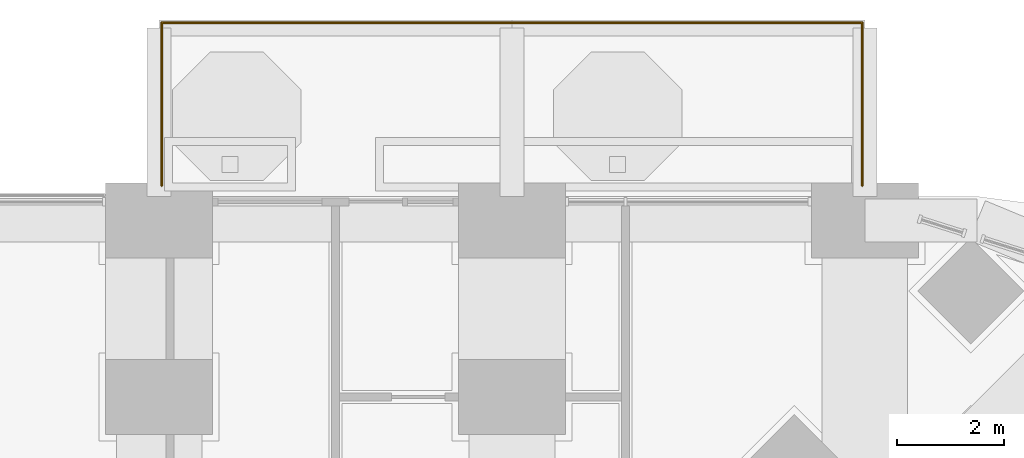
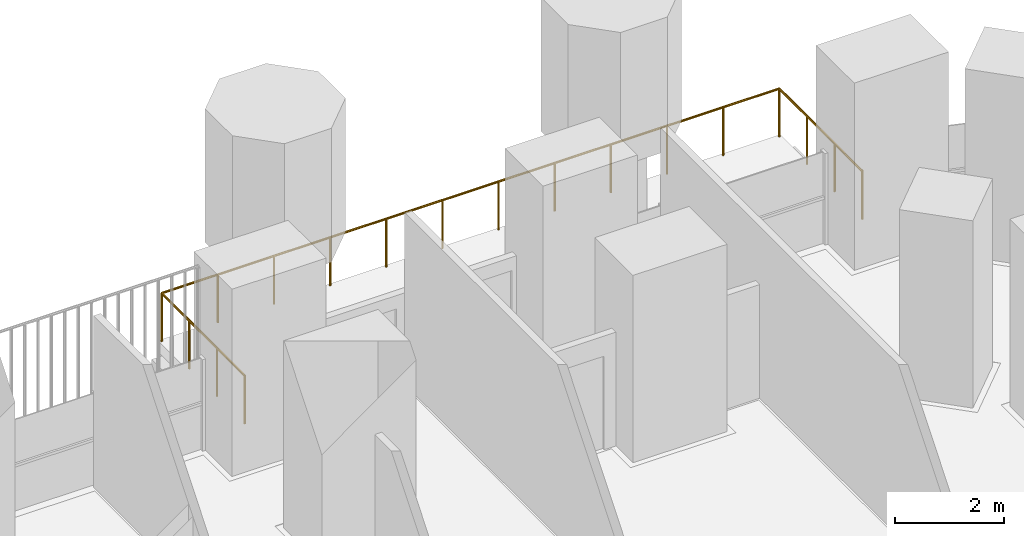
# One storey, part 26 of 27: 1 railing.
"""IFC4 building model written with IfcOpenShell, lengths in metres."""

from ifc_helpers import new_model, si_unit, direction, frame, origin, place, context, subcontext, project, spatial, polyline, outline, extrude, material, type_object, element, save


model = new_model("IFC4")

# Units and contexts
model_context = context("Model", 3, precision=1e-05, world=origin(), true_north=direction((0.0, 1.0)))
body_context = subcontext(model_context, "Body", "Model", "MODEL_VIEW")
ifc_project = project(units=[si_unit("LENGTHUNIT", "METRE"), si_unit("AREAUNIT", "SQUARE_METRE"), si_unit("VOLUMEUNIT", "CUBIC_METRE"), si_unit("PLANEANGLEUNIT", "RADIAN"), si_unit("MASSUNIT", "GRAM", prefix="KILO")], contexts=[model_context])

# Site, building, storey
site_placement = place(None, origin())
site = spatial("IfcSite", under=ifc_project, at=site_placement, CompositionType="ELEMENT")
building_placement = place(site_placement, origin())
building = spatial("IfcBuilding", under=site, at=building_placement, Name="Cobogo Forest Laboratory Tower", CompositionType="ELEMENT")
storey_placement = place(building_placement, frame((0.0, 0.0, 71.699951171875)))
storey = spatial("IfcBuildingStorey", under=building, at=storey_placement, Name="L16", CompositionType="ELEMENT", Elevation=71.699951171875)

# Railing
ifc_material = material(Name="Laminated glass balustrade", Category="glass")
railing_type = type_object("IfcRailingType", Name="BG1 glass balustrade 1100", PredefinedType="GUARDRAIL", material=ifc_material)
railing_placement = place(storey_placement, frame((33.050048828125, 46.85009765625, 0.0)))
element("IfcRailing", 1, at=railing_placement, inside=storey, type_object=railing_type, Name="Balcony balustrade BAL-N2 L16", PredefinedType="GUARDRAIL", context=body_context, shape_type="SweptSolid", body=[
    extrude(outline(polyline([(0.022216796875, 0.00927734375), (0.00927734375, 0.022216796875), (-0.00927734375, 0.022216796875), (-0.022216796875, 0.00927734375), (-0.022216796875, -0.00927734375), (-0.00927734375, -0.022216796875), (0.00927734375, -0.022216796875), (0.022216796875, -0.00927734375), (0.022216796875, 0.00927734375)])), frame((0.0, 0.0, 1.077880859375), z_axis=(0.0, 1.0, 0.0), x_axis=(-1.0, 0.0, 0.0)), (0.0, 0.0, 1.0), 3.0498046875),
    extrude(outline(polyline([(0.022216796875, 0.00927734375), (0.00927734375, 0.022216796875), (-0.00927734375, 0.022216796875), (-0.022216796875, 0.00927734375), (-0.022216796875, -0.00927734375), (-0.00927734375, -0.022216796875), (0.00927734375, -0.022216796875), (0.022216796875, -0.00927734375), (0.022216796875, 0.00927734375)])), frame((0.0, 3.0498046875, 1.077880859375), z_axis=(1.0, 0.0, 0.0), x_axis=(0.0, 1.0, 0.0)), (0.0, 0.0, 1.0), 13.099853515625),
    extrude(outline(polyline([(0.022216796875, 0.00927734375), (0.00927734375, 0.022216796875), (-0.00927734375, 0.022216796875), (-0.022216796875, 0.00927734375), (-0.022216796875, -0.00927734375), (-0.00927734375, -0.022216796875), (0.00927734375, -0.022216796875), (0.022216796875, -0.00927734375), (0.022216796875, 0.00927734375)])), frame((13.099853515625, 3.0498046875, 1.077880859375), z_axis=(0.0, -1.0, 0.0), x_axis=(1.0, 0.0, 0.0)), (0.0, 0.0, 1.0), 3.0498046875),
    extrude(outline(polyline([(0.019287109375, 0.008056640625), (0.008056640625, 0.019287109375), (-0.008056640625, 0.019287109375), (-0.019287109375, 0.008056640625), (-0.019287109375, -0.008056640625), (-0.008056640625, -0.019287109375), (0.008056640625, -0.019287109375), (0.019287109375, -0.008056640625), (0.019287109375, 0.008056640625)])), origin(), (0.0, 0.0, 1.0), 1.077880859375),
    extrude(outline(polyline([(0.019287109375, 0.008056640625), (0.008056640625, 0.019287109375), (-0.008056640625, 0.019287109375), (-0.019287109375, 0.008056640625), (-0.019287109375, -0.008056640625), (-0.008056640625, -0.019287109375), (0.008056640625, -0.019287109375), (0.019287109375, -0.008056640625), (0.019287109375, 0.008056640625)])), frame((0.0, 1.0166015625, 0.0)), (0.0, 0.0, 1.0), 1.077880859375),
    extrude(outline(polyline([(0.019287109375, 0.008056640625), (0.008056640625, 0.019287109375), (-0.008056640625, 0.019287109375), (-0.019287109375, 0.008056640625), (-0.019287109375, -0.008056640625), (-0.008056640625, -0.019287109375), (0.008056640625, -0.019287109375), (0.019287109375, -0.008056640625), (0.019287109375, 0.008056640625)])), frame((0.0, 2.033203125, 0.0)), (0.0, 0.0, 1.0), 1.077880859375),
    extrude(outline(polyline([(0.019287109375, 0.008056640625), (0.008056640625, 0.019287109375), (-0.008056640625, 0.019287109375), (-0.019287109375, 0.008056640625), (-0.019287109375, -0.008056640625), (-0.008056640625, -0.019287109375), (0.008056640625, -0.019287109375), (0.019287109375, -0.008056640625), (0.019287109375, 0.008056640625)])), frame((0.0, 3.0498046875, 0.0)), (0.0, 0.0, 1.0), 1.077880859375),
    extrude(outline(polyline([(0.019287109375, 0.008056640625), (0.008056640625, 0.019287109375), (-0.008056640625, 0.019287109375), (-0.019287109375, 0.008056640625), (-0.019287109375, -0.008056640625), (-0.008056640625, -0.019287109375), (0.008056640625, -0.019287109375), (0.019287109375, -0.008056640625), (0.019287109375, 0.008056640625)])), frame((1.19091796875, 3.0498046875, 0.0)), (0.0, 0.0, 1.0), 1.077880859375),
    extrude(outline(polyline([(0.019287109375, 0.008056640625), (0.008056640625, 0.019287109375), (-0.008056640625, 0.019287109375), (-0.019287109375, 0.008056640625), (-0.019287109375, -0.008056640625), (-0.008056640625, -0.019287109375), (0.008056640625, -0.019287109375), (0.019287109375, -0.008056640625), (0.019287109375, 0.008056640625)])), frame((2.3818359375, 3.0498046875, 0.0)), (0.0, 0.0, 1.0), 1.077880859375),
    extrude(outline(polyline([(0.019287109375, 0.008056640625), (0.008056640625, 0.019287109375), (-0.008056640625, 0.019287109375), (-0.019287109375, 0.008056640625), (-0.019287109375, -0.008056640625), (-0.008056640625, -0.019287109375), (0.008056640625, -0.019287109375), (0.019287109375, -0.008056640625), (0.019287109375, 0.008056640625)])), frame((3.57275390625, 3.0498046875, 0.0)), (0.0, 0.0, 1.0), 1.077880859375),
    extrude(outline(polyline([(0.019287109375, 0.008056640625), (0.008056640625, 0.019287109375), (-0.008056640625, 0.019287109375), (-0.019287109375, 0.008056640625), (-0.019287109375, -0.008056640625), (-0.008056640625, -0.019287109375), (0.008056640625, -0.019287109375), (0.019287109375, -0.008056640625), (0.019287109375, 0.008056640625)])), frame((4.763671875, 3.0498046875, 0.0)), (0.0, 0.0, 1.0), 1.077880859375),
    extrude(outline(polyline([(0.019287109375, 0.008056640625), (0.008056640625, 0.019287109375), (-0.008056640625, 0.019287109375), (-0.019287109375, 0.008056640625), (-0.019287109375, -0.008056640625), (-0.008056640625, -0.019287109375), (0.008056640625, -0.019287109375), (0.019287109375, -0.008056640625), (0.019287109375, 0.008056640625)])), frame((5.95458984375, 3.0498046875, 0.0)), (0.0, 0.0, 1.0), 1.077880859375),
    extrude(outline(polyline([(0.019287109375, 0.008056640625), (0.008056640625, 0.019287109375), (-0.008056640625, 0.019287109375), (-0.019287109375, 0.008056640625), (-0.019287109375, -0.008056640625), (-0.008056640625, -0.019287109375), (0.008056640625, -0.019287109375), (0.019287109375, -0.008056640625), (0.019287109375, 0.008056640625)])), frame((7.145263671875, 3.0498046875, 0.0)), (0.0, 0.0, 1.0), 1.077880859375),
    extrude(outline(polyline([(0.019287109375, 0.008056640625), (0.008056640625, 0.019287109375), (-0.008056640625, 0.019287109375), (-0.019287109375, 0.008056640625), (-0.019287109375, -0.008056640625), (-0.008056640625, -0.019287109375), (0.008056640625, -0.019287109375), (0.019287109375, -0.008056640625), (0.019287109375, 0.008056640625)])), frame((8.336181640625, 3.0498046875, 0.0)), (0.0, 0.0, 1.0), 1.077880859375),
    extrude(outline(polyline([(0.019287109375, 0.008056640625), (0.008056640625, 0.019287109375), (-0.008056640625, 0.019287109375), (-0.019287109375, 0.008056640625), (-0.019287109375, -0.008056640625), (-0.008056640625, -0.019287109375), (0.008056640625, -0.019287109375), (0.019287109375, -0.008056640625), (0.019287109375, 0.008056640625)])), frame((9.527099609375, 3.0498046875, 0.0)), (0.0, 0.0, 1.0), 1.077880859375),
    extrude(outline(polyline([(0.019287109375, 0.008056640625), (0.008056640625, 0.019287109375), (-0.008056640625, 0.019287109375), (-0.019287109375, 0.008056640625), (-0.019287109375, -0.008056640625), (-0.008056640625, -0.019287109375), (0.008056640625, -0.019287109375), (0.019287109375, -0.008056640625), (0.019287109375, 0.008056640625)])), frame((10.718017578125, 3.0498046875, 0.0)), (0.0, 0.0, 1.0), 1.077880859375),
    extrude(outline(polyline([(0.019287109375, 0.008056640625), (0.008056640625, 0.019287109375), (-0.008056640625, 0.019287109375), (-0.019287109375, 0.008056640625), (-0.019287109375, -0.008056640625), (-0.008056640625, -0.019287109375), (0.008056640625, -0.019287109375), (0.019287109375, -0.008056640625), (0.019287109375, 0.008056640625)])), frame((11.908935546875, 3.0498046875, 0.0)), (0.0, 0.0, 1.0), 1.077880859375),
    extrude(outline(polyline([(0.019287109375, 0.008056640625), (0.008056640625, 0.019287109375), (-0.008056640625, 0.019287109375), (-0.019287109375, 0.008056640625), (-0.019287109375, -0.008056640625), (-0.008056640625, -0.019287109375), (0.008056640625, -0.019287109375), (0.019287109375, -0.008056640625), (0.019287109375, 0.008056640625)])), frame((13.099853515625, 3.0498046875, 0.0)), (0.0, 0.0, 1.0), 1.077880859375),
    extrude(outline(polyline([(0.019287109375, 0.008056640625), (0.008056640625, 0.019287109375), (-0.008056640625, 0.019287109375), (-0.019287109375, 0.008056640625), (-0.019287109375, -0.008056640625), (-0.008056640625, -0.019287109375), (0.008056640625, -0.019287109375), (0.019287109375, -0.008056640625), (0.019287109375, 0.008056640625)])), frame((13.099853515625, 2.033203125, 0.0)), (0.0, 0.0, 1.0), 1.077880859375),
    extrude(outline(polyline([(0.019287109375, 0.008056640625), (0.008056640625, 0.019287109375), (-0.008056640625, 0.019287109375), (-0.019287109375, 0.008056640625), (-0.019287109375, -0.008056640625), (-0.008056640625, -0.019287109375), (0.008056640625, -0.019287109375), (0.019287109375, -0.008056640625), (0.019287109375, 0.008056640625)])), frame((13.099853515625, 1.0166015625, 0.0)), (0.0, 0.0, 1.0), 1.077880859375),
    extrude(outline(polyline([(0.019287109375, 0.008056640625), (0.008056640625, 0.019287109375), (-0.008056640625, 0.019287109375), (-0.019287109375, 0.008056640625), (-0.019287109375, -0.008056640625), (-0.008056640625, -0.019287109375), (0.008056640625, -0.019287109375), (0.019287109375, -0.008056640625), (0.019287109375, 0.008056640625)])), frame((13.099853515625, 0.0, 0.0)), (0.0, 0.0, 1.0), 1.077880859375),
])

save(model, "model.ifc")
